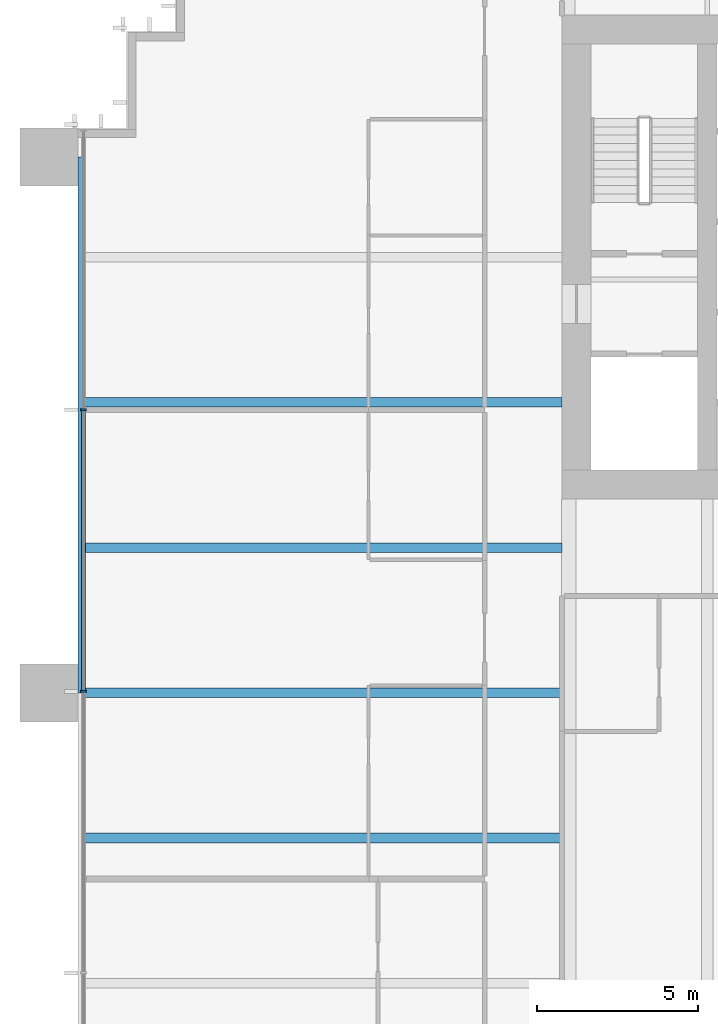
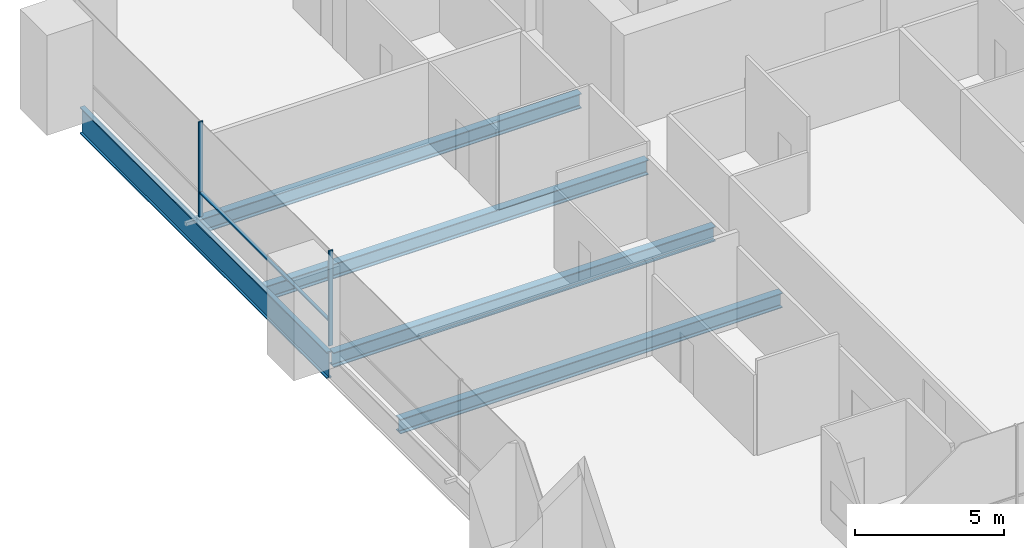
# One storey, part 4 of 17: 5 beams, 3 members, 1 element without a shape of its own.
"""IFC4 building model written with IfcOpenShell, lengths in metres."""

from ifc_helpers import new_model, si_unit, direction, frame, origin, origin_2d, place, context, subcontext, project, spatial, rectangle, i_section, extrude, material, material_profile, profile_set, type_object, element, aggregate, save


model = new_model("IFC4")

# Units and contexts
model_context = context("Model", 3, precision=1e-05, world=origin(), true_north=direction((0.0, 1.0)))
body_context = subcontext(model_context, "Body", "Model", "MODEL_VIEW")
ifc_project = project(units=[si_unit("LENGTHUNIT", "METRE"), si_unit("AREAUNIT", "SQUARE_METRE"), si_unit("VOLUMEUNIT", "CUBIC_METRE"), si_unit("PLANEANGLEUNIT", "RADIAN"), si_unit("MASSUNIT", "GRAM", prefix="KILO")], contexts=[model_context])

# Site, building, storey
site_placement = place(None, origin())
site = spatial("IfcSite", under=ifc_project, at=site_placement, CompositionType="ELEMENT")
building_placement = place(site_placement, origin())
building = spatial("IfcBuilding", under=site, at=building_placement, Name="Rattan Terrace Tower", CompositionType="ELEMENT")
storey_placement = place(building_placement, frame((0.0, 0.0, 61.10009765625)))
storey = spatial("IfcBuildingStorey", under=building, at=storey_placement, Name="L13", CompositionType="ELEMENT", Elevation=61.10009765625)

# Curtain wall, members
ifc_material_1 = material(Name="Aluminium and glass", Category="aluminium")
curtain_wall_type = type_object("IfcCurtainWallType", Name="Facade Unitised Curtain Wall", PredefinedType="NOTDEFINED", material=ifc_material_1)
curtain_wall_placement = place(storey_placement, origin())
curtain_wall = element("IfcCurtainWall", 1, at=curtain_wall_placement, inside=storey, type_object=curtain_wall_type, Name="Curtain wall L13-3", PredefinedType="NOTDEFINED")
ifc_material_2 = material(Name="Aluminium", Category="aluminium")
ifc_material_profile_1 = material_profile(ifc_material_2, rectangle(XDim=0.06005859375, YDim=0.159912109375, at=origin_2d()), Name="Aluminium 60x160")
ifc_profile_set_1 = profile_set([ifc_material_profile_1], Name="Aluminium")
member_type_1 = type_object("IfcMemberType", Name="Facade CW Mullion 60x160", PredefinedType="MULLION", material=ifc_profile_set_1)
member_1_placement = place(storey_placement, frame((-32.830078125, -4.72705078125, 0.0), z_axis=(0.0, 0.0, 1.0), x_axis=(0.0, -1.0, 0.0)))
member_1 = element("IfcMember", 2, at=member_1_placement, type_object=member_type_1, Name="Mullion cwl-L13-003.2", PredefinedType="MULLION", context=body_context, shape_type="SweptSolid", body=[
    extrude(rectangle(XDim=0.06005859375, YDim=0.159912109375, at=origin_2d()), origin(), (0.0, 0.0, 1.0), 3.89990234375),
])
member_2_placement = place(storey_placement, frame((-32.830078125, -13.4541015625, 0.0), z_axis=(0.0, 0.0, 1.0), x_axis=(0.0, -1.0, 0.0)))
member_2 = element("IfcMember", 3, at=member_2_placement, type_object=member_type_1, Name="Mullion cwl-L13-003.3", PredefinedType="MULLION", context=body_context, shape_type="SweptSolid", body=[
    extrude(rectangle(XDim=0.06005859375, YDim=0.159912109375, at=origin_2d()), origin(), (0.0, 0.0, 1.0), 3.89990234375),
])
ifc_material_3 = material(Name="Aluminium", Category="aluminium")
ifc_material_profile_2 = material_profile(ifc_material_3, rectangle(XDim=0.1201171875, YDim=0.06005859375, at=origin_2d()), Name="Aluminium 120x60")
ifc_profile_set_2 = profile_set([ifc_material_profile_2], Name="Aluminium")
member_type_2 = type_object("IfcMemberType", Name="Facade CW Transom 120x60", PredefinedType="USERDEFINED", material=ifc_profile_set_2)
member_3_placement = place(storey_placement, frame((-32.830078125, -4.757080078125, 1.0), z_axis=(0.0, -1.0, 0.0), x_axis=(1.0, 0.0, 0.0)))
member_3 = element("IfcMember", 4, at=member_3_placement, type_object=member_type_2, Name="Transom cwl-L13-003.2", ObjectType="TRANSOM", PredefinedType="USERDEFINED", context=body_context, shape_type="SweptSolid", body=[
    extrude(rectangle(XDim=0.1201171875, YDim=0.06005859375, at=origin_2d()), origin(), (0.0, 0.0, 1.0), 8.6669921875),
])
aggregate(curtain_wall, [member_1, member_2, member_3])

# Beams
ifc_material_4 = material(Name="Steel S460", Category="steel")
ifc_material_profile_3 = material_profile(ifc_material_4, i_section(OverallWidth=0.179931640625, OverallDepth=1.10009765625, WebThickness=0.01611328125, FlangeThickness=0.050048828125, at=origin_2d()), Name="PG 1100x180-16-50")
ifc_profile_set_3 = profile_set([ifc_material_profile_3], Name="Steel S460")
beam_type_1 = type_object("IfcBeamType", Name="Frame edge girder PG 1100x180-16-50", PredefinedType="SPANDREL", material=ifc_profile_set_3)
beam_placement = place(storey_placement, frame((-32.909912109375, 3.10009765625, -0.75), z_axis=(0.0, -1.0, 0.0), x_axis=(1.0, 0.0, 0.0)))
element("IfcBeam", 5, at=beam_placement, inside=storey, type_object=beam_type_1, Name="gdr-L13-008", PredefinedType="SPANDREL", context=body_context, shape_type="SweptSolid", body=[
    extrude(i_section(OverallWidth=0.179931640625, OverallDepth=1.10009765625, WebThickness=0.01611328125, FlangeThickness=0.050048828125, at=origin_2d()), origin(), (0.0, 0.0, 1.0), 16.60009765625),
])
ifc_material_5 = material(Name="Steel S355", Category="steel")
ifc_material_profile_4 = material_profile(ifc_material_5, i_section(OverallWidth=0.300048828125, OverallDepth=0.60009765625, WebThickness=0.015380859375, FlangeThickness=0.030029296875, FilletRadius=0.027099609375, at=origin_2d()), Name="HE 600 B")
ifc_profile_set_4 = profile_set([ifc_material_profile_4], Name="Steel S355")
beam_type_2 = type_object("IfcBeamType", Name="Frame floor beam HE 600 B", PredefinedType="JOIST", material=ifc_profile_set_4)
for number, where, z_axis, x_axis, name in (
    (6, (-32.820068359375, -18.0, -0.5), (1.0, 0.0, 0.0), (0.0, 1.0, 0.0), "bm-L13-014"),
    (7, (-32.820068359375, -13.5, -0.5), (1.0, 0.0, 0.0), (0.0, 1.0, 0.0), "bm-L13-016"),
    (8, (-32.820068359375, -9.0, -0.5), (1.0, 0.0, 0.0), (0.0, 1.0, 0.0), "bm-L13-018"),
    (9, (-32.820068359375, -4.5, -0.5), (1.0, 0.0, 0.0), (0.0, 1.0, 0.0), "bm-L13-020"),
):
    element("IfcBeam", number, at=place(storey_placement, frame(where, z_axis=z_axis, x_axis=x_axis)), inside=storey, type_object=beam_type_2, Name=name, PredefinedType="JOIST", context=body_context, shape_type="SweptSolid", body=[
        extrude(i_section(OverallWidth=0.300048828125, OverallDepth=0.60009765625, WebThickness=0.015380859375, FlangeThickness=0.030029296875, FilletRadius=0.027099609375, at=origin_2d()), origin(), (0.0, 0.0, 1.0), 14.820068359375),
    ])

save(model, "model.ifc")
